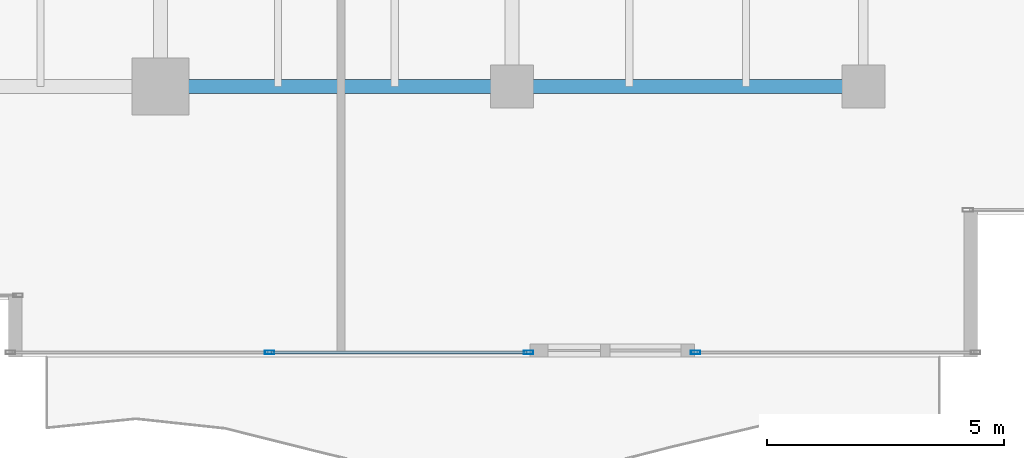
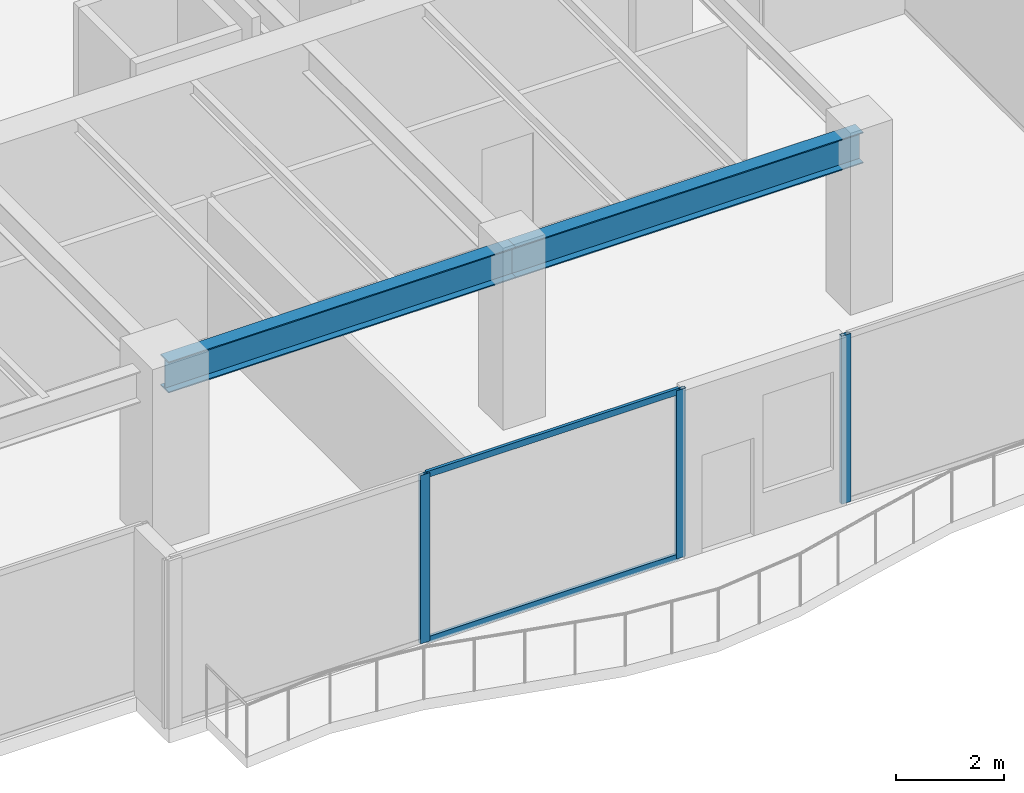
# One storey, part 10 of 30: 5 members, 2 beams, 2 elements without a shape of their own.
"""IFC4 building model written with IfcOpenShell, lengths in metres."""

import ifcopenshell
import ifcopenshell.guid

model = None  # the IFC model being written
_history = None  # IfcOwnerHistory: only IFC2X3 demands one
_inside = {}  # id of a spatial element -> (the spatial element, [elements in it])
_under = {}  # id of a project, library or spatial element -> (it, [spatial elements below it])
_declared = {}  # id of a project -> (the project, [libraries it declares])
_typed = {}  # id of a type object -> (the type object, [elements of that type])
_made_of = {}  # id of a material, layer set ... -> (it, [elements and type objects made of it])


def new_model(schema):
    """Start an empty IFC model of exactly this schema.

    Asked for "IFC4X3", IfcOpenShell would pick the latest addendum, in which some entities
    have other attributes; the version numbers below select the first issue.
    IFC2X3 requires an IfcOwnerHistory on every rooted entity: one is made here for all.
    """
    global model, _history
    if schema == "IFC4X3":
        model = ifcopenshell.file(schema_version=(4, 3, 0, 0))
    else:
        model = ifcopenshell.file(schema=schema)
    _inside.clear()
    _under.clear()
    _declared.clear()
    _typed.clear()
    _made_of.clear()
    _history = None
    if model.schema == "IFC2X3":
        org = make("IfcOrganization", Name="unknown")
        user = make(
            "IfcPersonAndOrganization",
            ThePerson=make("IfcPerson", FamilyName="unknown"),
            TheOrganization=org,
        )
        app = make(
            "IfcApplication",
            ApplicationDeveloper=org,
            Version="unknown",
            ApplicationFullName="unknown",
            ApplicationIdentifier="unknown",
        )
        _history = make(
            "IfcOwnerHistory",
            OwningUser=user,
            OwningApplication=app,
            ChangeAction="ADDED",
            CreationDate=0,
        )
    return model


def make(cls, **values):
    """One entity of the class cls with the attributes given. An attribute that is None is left unset."""
    return model.create_entity(
        cls, **{name: value for name, value in values.items() if value is not None}
    )


def rooted(cls, **values):
    """An entity with a GlobalId (a new one), such as an element, a storey or a relation."""
    return make(cls, GlobalId=ifcopenshell.guid.new(), OwnerHistory=_history, **values)


def si_unit(unit_type, name, prefix=None):
    """IfcSIUnit, for example si_unit("LENGTHUNIT", "METRE", prefix="MILLI")."""
    return make("IfcSIUnit", UnitType=unit_type, Prefix=prefix, Name=name)


def assignment(units):
    """IfcUnitAssignment: the units of a project."""
    return None if units is None else make("IfcUnitAssignment", Units=units)


def point(xyz):
    """IfcCartesianPoint."""
    return None if xyz is None else make("IfcCartesianPoint", Coordinates=xyz)


def direction(xyz):
    """IfcDirection."""
    return None if xyz is None else make("IfcDirection", DirectionRatios=xyz)


def frame(location, z_axis=None, x_axis=None):
    """IfcAxis2Placement3D, a coordinate frame: its origin and axes. An axis left out is left unset."""
    return make(
        "IfcAxis2Placement3D",
        Location=point(location),
        Axis=direction(z_axis),
        RefDirection=direction(x_axis),
    )


def frame_2d(location, x_axis=None):
    """IfcAxis2Placement2D, a coordinate frame in the plane: its origin and x axis."""
    return make(
        "IfcAxis2Placement2D", Location=point(location), RefDirection=direction(x_axis)
    )


def origin():
    """The frame at (0, 0, 0) with its axes left unset."""
    return frame((0.0, 0.0, 0.0))


def origin_2d():
    """The frame at (0, 0) in the plane with its x axis left unset."""
    return frame_2d((0.0, 0.0))


def place(relative_to, where):
    """IfcLocalPlacement: puts the frame where relative to a parent placement (None: the world)."""
    return make(
        "IfcLocalPlacement", PlacementRelTo=relative_to, RelativePlacement=where
    )


def context(
    kind, dimensions, precision=None, world=None, true_north=None, identifier=None
):
    """IfcGeometricRepresentationContext, for example the 3D "Model" context."""
    return make(
        "IfcGeometricRepresentationContext",
        ContextIdentifier=identifier,
        ContextType=kind,
        CoordinateSpaceDimension=dimensions,
        Precision=precision,
        WorldCoordinateSystem=world,
        TrueNorth=true_north,
    )


def subcontext(parent, identifier, kind, view, scale=None):
    """IfcGeometricRepresentationSubContext, for example "Body" below "Model"."""
    return make(
        "IfcGeometricRepresentationSubContext",
        ContextIdentifier=identifier,
        ContextType=kind,
        ParentContext=parent,
        TargetScale=scale,
        TargetView=view,
    )


def project(units=None, contexts=None):
    """IfcProject with its units and contexts."""
    return rooted(
        "IfcProject",
        Name="project",
        RepresentationContexts=contexts,
        UnitsInContext=assignment(units),
    )


def spatial(cls, under=None, at=None, **own):
    """A site, building, storey or space (cls), placed at a placement, below another one or the project."""
    s = rooted(cls, ObjectPlacement=at, **own)
    if under is not None:
        _under.setdefault(under.id(), (under, []))[1].append(s)
    return s


def profile(cls, at=None, kind="AREA", **sizes):
    """A parametric profile (cls). Its sizes go by their IFC names, for example OverallWidth=200.0."""
    return make(cls, ProfileType=kind, Position=at, **sizes)


def hollow_rectangle(**sizes):
    """IfcRectangleHollowProfileDef."""
    return profile("IfcRectangleHollowProfileDef", **sizes)


def i_section(**sizes):
    """IfcIShapeProfileDef."""
    return profile("IfcIShapeProfileDef", **sizes)


def extrude(swept, where, along, depth):
    """IfcExtrudedAreaSolid: the profile swept, set in the frame where, extruded along a direction by depth."""
    return make(
        "IfcExtrudedAreaSolid",
        SweptArea=swept,
        Position=where,
        ExtrudedDirection=direction(along),
        Depth=depth,
    )


def shape(context_of_items, identifier, shape_type, items):
    """IfcShapeRepresentation: the items that make up one representation, for example the "Body"."""
    return make(
        "IfcShapeRepresentation",
        ContextOfItems=context_of_items,
        RepresentationIdentifier=identifier,
        RepresentationType=shape_type,
        Items=items,
    )


def source(mapping_origin, context_of_items, identifier, shape_type, items):
    """IfcRepresentationMap: a shape defined once, which mapped items show again and again."""
    return make(
        "IfcRepresentationMap",
        MappingOrigin=mapping_origin,
        MappedRepresentation=shape(context_of_items, identifier, shape_type, items),
    )


def transform(
    local_origin,
    x_axis=None,
    y_axis=None,
    z_axis=None,
    scale=None,
    scale2=None,
    scale3=None,
    uniform=True,
):
    """IfcCartesianTransformationOperator3D, or its non-uniform kind. x_axis, y_axis, z_axis: its Axis1, 2, 3."""
    if uniform:
        return make(
            "IfcCartesianTransformationOperator3D",
            Axis1=direction(x_axis),
            Axis2=direction(y_axis),
            LocalOrigin=point(local_origin),
            Scale=scale,
            Axis3=direction(z_axis),
        )
    return make(
        "IfcCartesianTransformationOperator3DnonUniform",
        Axis1=direction(x_axis),
        Axis2=direction(y_axis),
        LocalOrigin=point(local_origin),
        Scale=scale,
        Axis3=direction(z_axis),
        Scale2=scale2,
        Scale3=scale3,
    )


def mapped(mapping_source, mapping_target):
    """IfcMappedItem: shows the shape of a source again, moved by a transform."""
    return make(
        "IfcMappedItem", MappingSource=mapping_source, MappingTarget=mapping_target
    )


def material(Name=None, Category=None):
    """IfcMaterial."""
    return make("IfcMaterial", Name=Name, Category=Category)


def layer(
    of_material, thickness, ventilated=None, Name=None, Category=None, Priority=None
):
    """IfcMaterialLayer: one layer of a wall or slab, of a material (None: an air gap)."""
    return make(
        "IfcMaterialLayer",
        Material=of_material,
        LayerThickness=thickness,
        IsVentilated=ventilated,
        Name=Name,
        Category=Category,
        Priority=Priority,
    )


def layer_set(layers, Name=None):
    """IfcMaterialLayerSet."""
    return make("IfcMaterialLayerSet", MaterialLayers=layers, LayerSetName=Name)


def material_profile(
    of_material, cross_section, Name=None, Category=None, Priority=None
):
    """IfcMaterialProfile: a cross section and its material."""
    return make(
        "IfcMaterialProfile",
        Name=Name,
        Material=of_material,
        Profile=cross_section,
        Priority=Priority,
        Category=Category,
    )


def profile_set(profiles, Name=None, composite=None):
    """IfcMaterialProfileSet."""
    return make(
        "IfcMaterialProfileSet",
        Name=Name,
        MaterialProfiles=profiles,
        CompositeProfile=composite,
    )


def made_of(thing, what):
    """Note that an element or type object is made of a material, layer set ...; save() writes the relation."""
    if what is not None:
        _made_of.setdefault(what.id(), (what, []))[1].append(thing)
    return thing


def type_object(cls, material=None, **own):
    """A type object (cls), such as IfcWallType, which elements share."""
    return made_of(rooted(cls, **own), material)


def type_shapes(of_type, sources):
    """Give a type object the sources (RepresentationMaps) that its elements show as mapped items."""
    of_type.RepresentationMaps = sources


def element(
    cls,
    number,
    at=None,
    inside=None,
    cuts=None,
    type_object=None,
    material=None,
    context=None,
    identifier="Body",
    shape_type=None,
    held_by="IfcProductDefinitionShape",
    body=None,
    shapes=None,
    **own,
):
    """One element of the class cls, such as IfcWall. Its Tag is "e" and its number.

    at: its placement. inside: the storey or other place that contains it. cuts: it is an
    opening in that element (IfcRelVoidsElement). A single representation is given by context,
    identifier, shape_type and body (its items); several are given by shapes. held_by: the class
    of the entity that holds the representations. save() writes the other relations.
    """
    e = rooted(cls, Tag="e%d" % number, ObjectPlacement=at, **own)
    if body is not None:
        shapes = [shape(context, identifier, shape_type, body)]
    if shapes is not None:
        e.Representation = make(held_by, Representations=shapes)
    if inside is not None:
        _inside.setdefault(inside.id(), (inside, []))[1].append(e)
    if cuts is not None:
        rooted(
            "IfcRelVoidsElement", RelatingBuildingElement=cuts, RelatedOpeningElement=e
        )
    if type_object is not None:
        _typed.setdefault(type_object.id(), (type_object, []))[1].append(e)
    return made_of(e, material)


def aggregate(whole, parts):
    """IfcRelAggregates: a whole, such as a stair, and the parts it consists of."""
    return rooted("IfcRelAggregates", RelatingObject=whole, RelatedObjects=parts)


def save(model, path):
    """Write the relations noted so far, then the file.

    IfcRelAggregates (storeys below a building ...), IfcRelContainedInSpatialStructure (elements
    in a storey), IfcRelDefinesByType, IfcRelAssociatesMaterial and IfcRelDeclares: one each for
    every whole, place, type object, material and project.
    """
    for whole, parts in _under.values():
        aggregate(whole, parts)
    for where, things in _inside.values():
        rooted(
            "IfcRelContainedInSpatialStructure",
            RelatedElements=things,
            RelatingStructure=where,
        )
    for kind, things in _typed.values():
        rooted("IfcRelDefinesByType", RelatedObjects=things, RelatingType=kind)
    for what, things in _made_of.values():
        rooted("IfcRelAssociatesMaterial", RelatedObjects=things, RelatingMaterial=what)
    for by, libraries in _declared.values():
        rooted("IfcRelDeclares", RelatingContext=by, RelatedDefinitions=libraries)
    model.write(path)


model = new_model("IFC4")

# Units and contexts
model_context = context("Model", 3, precision=1e-05, world=origin(), true_north=direction((0.0, 1.0)))
body_context = subcontext(model_context, "Body", "Model", "MODEL_VIEW")
ifc_project = project(units=[si_unit("LENGTHUNIT", "METRE"), si_unit("AREAUNIT", "SQUARE_METRE"), si_unit("VOLUMEUNIT", "CUBIC_METRE"), si_unit("PLANEANGLEUNIT", "RADIAN"), si_unit("MASSUNIT", "GRAM", prefix="KILO")], contexts=[model_context])

# Site, building, storey
site_placement = place(None, origin())
site = spatial("IfcSite", under=ifc_project, at=site_placement, CompositionType="ELEMENT")
building_placement = place(site_placement, origin())
building = spatial("IfcBuilding", under=site, at=building_placement, Name="Haelvirn Gate Laboratories", CompositionType="ELEMENT")
storey_placement = place(building_placement, frame((0.0, 0.0, 113.300048828125)))
storey = spatial("IfcBuildingStorey", under=building, at=storey_placement, Name="L27", CompositionType="ELEMENT", Elevation=113.300048828125)

# Beams
ifc_material_1 = material(Name="Steel SM355", Category="steel")
ifc_material_profile_1 = material_profile(ifc_material_1, i_section(OverallWidth=0.300048828125, OverallDepth=0.699951171875, WebThickness=0.012939453125, FlangeThickness=0.02392578125, at=origin_2d()), Name="H-700x300x13x24")
ifc_profile_set_1 = profile_set([ifc_material_profile_1], Name="Steel SM355")
beam_type = type_object("IfcBeamType", Name="BM-G-700", PredefinedType="BEAM", material=ifc_profile_set_1)
shared_shape_1 = source(origin(), body_context, "Body", "SweptSolid", [
    extrude(i_section(OverallWidth=0.300048828125, OverallDepth=0.699951171875, WebThickness=0.012939453125, FlangeThickness=0.02392578125, at=origin_2d()), origin(), (0.0, 0.0, 1.0), 7.39990234375),
])
type_shapes(beam_type, [shared_shape_1])
for number, where, z_axis, x_axis, name in (
    (1, (52.60009765625, 7.0, 3.43994140625), (1.0, 0.0, 0.0), (0.0, 1.0, 0.0), "L27 Primary Girder Y7.0 (52.6-60.0)"),
    (2, (60.0, 7.0, 3.43994140625), (1.0, 0.0, 0.0), (0.0, 1.0, 0.0), "L27 Primary Girder Y7.0 (60.0-67.4)"),
):
    element("IfcBeam", number, at=place(storey_placement, frame(where, z_axis=z_axis, x_axis=x_axis)), inside=storey, type_object=beam_type, Name=name, PredefinedType="BEAM", context=body_context, shape_type="MappedRepresentation", body=[
        mapped(shared_shape_1, transform((0.0, 0.0, 0.0), scale=1.0)),
    ])

# Curtain wall, members
ifc_material_2 = material(Name="Anodised bronze unitised aluminium & triple low-E glass", Category="aluminium")
ifc_layer = layer(ifc_material_2, 0.179931640625, Name="CW-SYS-3")
ifc_layer_set = layer_set([ifc_layer], Name="Anodised bronze unitised aluminium & triple low-E glass")
curtain_wall_type = type_object("IfcCurtainWallType", Name="CW-SYS-3", PredefinedType="NOTDEFINED", material=ifc_layer_set)
curtain_wall_1_placement = place(storey_placement, origin())
curtain_wall_1 = element("IfcCurtainWall", 3, at=curtain_wall_1_placement, inside=storey, type_object=curtain_wall_type, Name="L27 Unitised Curtain Wall CW-L27-P0-E04-1", PredefinedType="NOTDEFINED")
ifc_material_3 = material(Name="Extruded aluminium 6063-T6 (anodised bronze)", Category="aluminium")
ifc_material_profile_2 = material_profile(ifc_material_3, hollow_rectangle(XDim=0.074951171875, YDim=0.199951171875, WallThickness=0.0048828125, at=origin_2d()), Name="CWM-200x75x5")
ifc_profile_set_2 = profile_set([ifc_material_profile_2], Name="Extruded aluminium 6063-T6 (anodised bronze)")
member_type_1 = type_object("IfcMemberType", Name="CWM-T200", PredefinedType="MULLION", material=ifc_profile_set_2)
shared_shape_2 = source(origin(), body_context, "Body", "SweptSolid", [
    extrude(hollow_rectangle(XDim=0.074951171875, YDim=0.199951171875, WallThickness=0.0048828125, at=origin_2d()), origin(), (0.0, 0.0, 1.0), 3.7900390625),
])
type_shapes(member_type_1, [shared_shape_2])
member_1_placement = place(storey_placement, frame((54.89501953125, 1.39990234375, 0.0), z_axis=(0.0, 0.0, 1.0), x_axis=(0.0, 1.0, 0.0)))
member_1 = element("IfcMember", 4, at=member_1_placement, type_object=member_type_1, Name="CW3 mullion 2", PredefinedType="MULLION", context=body_context, shape_type="MappedRepresentation", body=[
    mapped(shared_shape_2, transform((0.0, 0.0, 0.0), scale=1.0)),
])
member_2_placement = place(storey_placement, frame((60.3525390625, 1.39990234375, 0.0), z_axis=(0.0, 0.0, 1.0), x_axis=(0.0, 1.0, 0.0)))
member_2 = element("IfcMember", 5, at=member_2_placement, type_object=member_type_1, Name="CW3 mullion 3", PredefinedType="MULLION", context=body_context, shape_type="MappedRepresentation", body=[
    mapped(shared_shape_2, transform((0.0, 0.0, 0.0), scale=1.0)),
])

# Curtain wall, member
curtain_wall_2_placement = place(storey_placement, origin())
curtain_wall_2 = element("IfcCurtainWall", 6, at=curtain_wall_2_placement, inside=storey, type_object=curtain_wall_type, Name="L27 Unitised Curtain Wall CW-L27-P0-E04-2", PredefinedType="NOTDEFINED")
member_3_placement = place(storey_placement, frame((63.867431640625, 1.39990234375, 0.0), z_axis=(0.0, 0.0, 1.0), x_axis=(0.0, 1.0, 0.0)))
member_3 = element("IfcMember", 7, at=member_3_placement, type_object=member_type_1, Name="CW3 mullion 1", PredefinedType="MULLION", context=body_context, shape_type="MappedRepresentation", body=[
    mapped(shared_shape_2, transform((0.0, 0.0, 0.0), scale=1.0)),
])
aggregate(curtain_wall_2, [member_3])

# Member
ifc_material_profile_3 = material_profile(ifc_material_3, hollow_rectangle(XDim=0.06494140625, YDim=0.139892578125, WallThickness=0.00390625, at=origin_2d()), Name="CWT-140x65x4")
ifc_profile_set_3 = profile_set([ifc_material_profile_3], Name="Extruded aluminium 6063-T6 (anodised bronze)")
member_type_2 = type_object("IfcMemberType", Name="CWT-T140", PredefinedType="USERDEFINED", material=ifc_profile_set_3)
shared_shape_3 = source(origin(), body_context, "Body", "SweptSolid", [
    extrude(hollow_rectangle(XDim=0.06494140625, YDim=0.139892578125, WallThickness=0.00390625, at=origin_2d()), origin(), (0.0, 0.0, 1.0), 5.38232421875),
])
type_shapes(member_type_2, [shared_shape_3])
member_4_placement = place(storey_placement, frame((54.9326171875, 1.39990234375, 0.032470703125), z_axis=(1.0, 0.0, 0.0), x_axis=(0.0, 1.0, 0.0)))
member_4 = element("IfcMember", 8, at=member_4_placement, type_object=member_type_2, Name="CW3 transom 2.1", ObjectType="TRANSOM", PredefinedType="USERDEFINED", context=body_context, shape_type="MappedRepresentation", body=[
    mapped(shared_shape_3, transform((0.0, 0.0, 0.0), scale=1.0)),
])

member_5_placement = place(storey_placement, frame((54.9326171875, 1.39990234375, 3.757568359375), z_axis=(1.0, 0.0, 0.0), x_axis=(0.0, 1.0, 0.0)))
member_5 = element("IfcMember", 9, at=member_5_placement, type_object=member_type_2, Name="CW3 transom 2.2", ObjectType="TRANSOM", PredefinedType="USERDEFINED", context=body_context, shape_type="MappedRepresentation", body=[
    mapped(shared_shape_3, transform((0.0, 0.0, 0.0), scale=1.0)),
])

aggregate(curtain_wall_1, [member_1, member_2, member_4, member_5])

save(model, "model.ifc")
